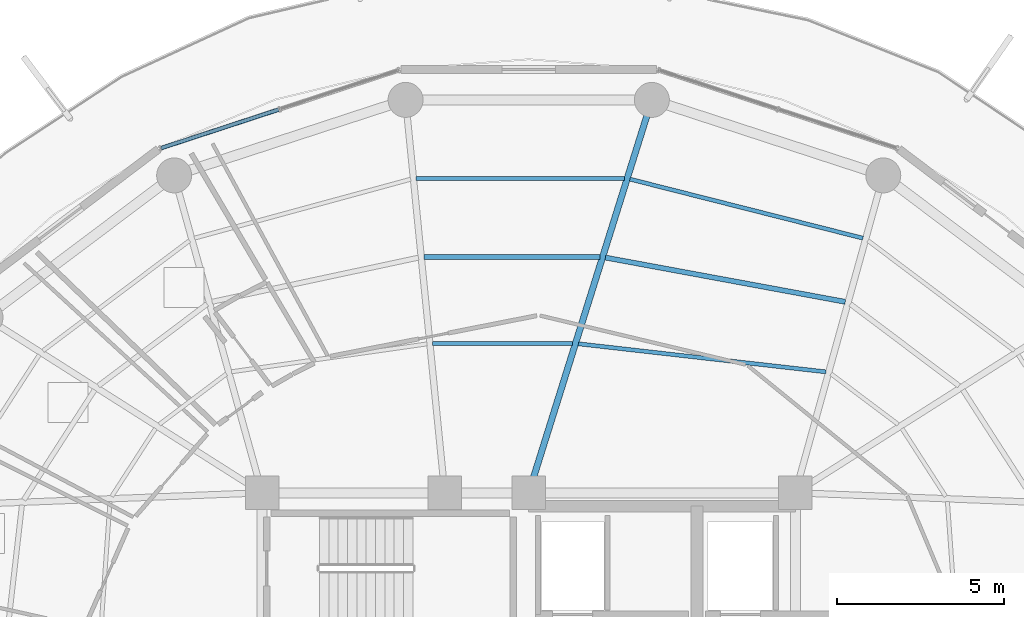
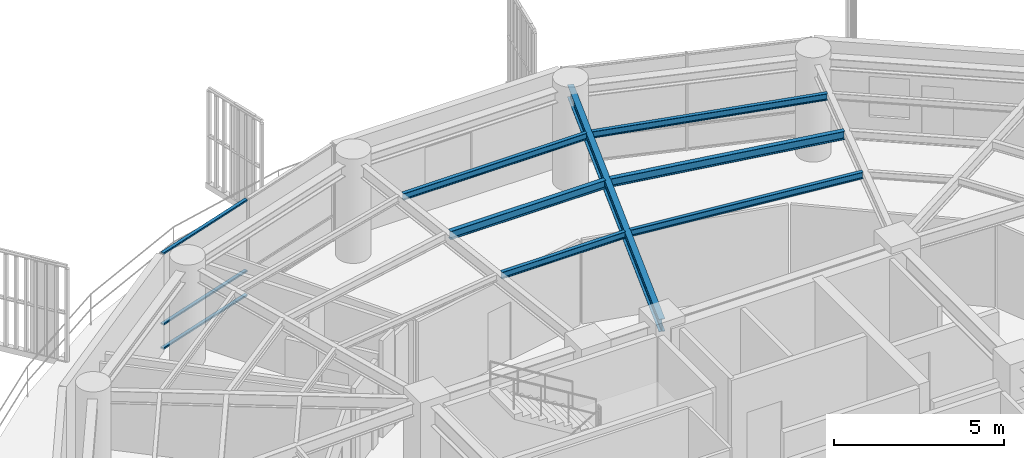
# One storey, part 18 of 30: 7 beams, 3 members, 1 element without a shape of its own.
"""IFC4 building model written with IfcOpenShell, lengths in metres."""

from ifc_helpers import new_model, si_unit, direction, frame, origin, origin_2d, place, context, subcontext, project, spatial, hollow_rectangle, i_section, extrude, material, layer, layer_set, material_profile, profile_set, type_object, element, aggregate, save


model = new_model("IFC4")

# Units and contexts
model_context = context("Model", 3, precision=1e-05, world=origin(), true_north=direction((0.0, 1.0)))
body_context = subcontext(model_context, "Body", "Model", "MODEL_VIEW")
ifc_project = project(units=[si_unit("LENGTHUNIT", "METRE"), si_unit("AREAUNIT", "SQUARE_METRE"), si_unit("VOLUMEUNIT", "CUBIC_METRE"), si_unit("PLANEANGLEUNIT", "RADIAN"), si_unit("MASSUNIT", "GRAM", prefix="KILO")], contexts=[model_context])

# Site, building, storey
site_placement = place(None, origin())
site = spatial("IfcSite", under=ifc_project, at=site_placement, CompositionType="ELEMENT")
building_placement = place(site_placement, origin())
building = spatial("IfcBuilding", under=site, at=building_placement, Name="Kelanora Arch Commons", CompositionType="ELEMENT")
storey_placement = place(building_placement, frame((0.0, 0.0, 234.449951171875)))
storey = spatial("IfcBuildingStorey", under=building, at=storey_placement, Name="L60", CompositionType="ELEMENT", Elevation=234.449951171875)

# Beams
ifc_material_1 = material(Name="Steel S355", Category="steel")
ifc_material_profile_1 = material_profile(ifc_material_1, i_section(OverallWidth=0.14990234375, OverallDepth=0.300048828125, WebThickness=0.007080078125, FlangeThickness=0.0107421875, FilletRadius=0.014892578125, at=origin_2d()), Name="IPE300")
ifc_profile_set_1 = profile_set([ifc_material_profile_1], Name="Steel S355")
beam_type_1 = type_object("IfcBeamType", Name="BM-JST-01", PredefinedType="JOIST", material=ifc_profile_set_1)
beam_1_placement = place(storey_placement, frame((83.50048828125, 70.729736328125, 3.340087890625), z_axis=(-0.983389964671, 0.181505309519, 0.0), x_axis=(-0.181505309519, -0.983389964671, 0.0)))
element("IfcBeam", 1, at=beam_1_placement, inside=storey, type_object=beam_type_1, Name="Secondary Chord Joist BJB-06 L60", PredefinedType="JOIST", context=body_context, shape_type="SweptSolid", body=[
    extrude(i_section(OverallWidth=0.14990234375, OverallDepth=0.300048828125, WebThickness=0.007080078125, FlangeThickness=0.0107421875, FilletRadius=0.014892578125, at=origin_2d()), origin(), (0.0, 0.0, 1.0), 7.3212890625),
])
beam_2_placement = place(storey_placement, frame((76.132080078125, 72.07421875, 3.340087890625), z_axis=(-1.0, 0.0, 0.0), x_axis=(0.0, -1.0, 0.0)))
element("IfcBeam", 2, at=beam_2_placement, inside=storey, type_object=beam_type_1, Name="Secondary Chord Joist BJB-08 L60", PredefinedType="JOIST", context=body_context, shape_type="SweptSolid", body=[
    extrude(i_section(OverallWidth=0.14990234375, OverallDepth=0.300048828125, WebThickness=0.007080078125, FlangeThickness=0.0107421875, FilletRadius=0.014892578125, at=origin_2d()), origin(), (0.0, 0.0, 1.0), 5.272216796875),
])
ifc_material_profile_2 = material_profile(ifc_material_1, i_section(OverallWidth=0.1201171875, OverallDepth=0.239990234375, WebThickness=0.006103515625, FlangeThickness=0.009765625, FilletRadius=0.014892578125, at=origin_2d()), Name="IPE240")
ifc_profile_set_2 = profile_set([ifc_material_profile_2], Name="Steel S355")
beam_type_2 = type_object("IfcBeamType", Name="BM-JST-02", PredefinedType="JOIST", material=ifc_profile_set_2)
beam_3_placement = place(storey_placement, frame((82.918701171875, 68.628662109375, 3.3701171875), z_axis=(-0.993639672263, 0.11260640171, 0.0), x_axis=(-0.11260640171, -0.993639672263, 0.0)))
element("IfcBeam", 3, at=beam_3_placement, inside=storey, type_object=beam_type_2, Name="Secondary Chord Joist BJA-06 L60", PredefinedType="JOIST", context=body_context, shape_type="SweptSolid", body=[
    extrude(i_section(OverallWidth=0.1201171875, OverallDepth=0.239990234375, WebThickness=0.006103515625, FlangeThickness=0.009765625, FilletRadius=0.014892578125, at=origin_2d()), origin(), (0.0, 0.0, 1.0), 7.477783203125),
])
beam_4_placement = place(storey_placement, frame((84.029541015625, 72.639892578125, 3.3701171875), z_axis=(-0.969370989998, 0.245601066263, 0.0), x_axis=(-0.245601066263, -0.969370989998, 0.0)))
element("IfcBeam", 4, at=beam_4_placement, inside=storey, type_object=beam_type_2, Name="Secondary Chord Joist BJC-06 L60", PredefinedType="JOIST", context=body_context, shape_type="SweptSolid", body=[
    extrude(i_section(OverallWidth=0.1201171875, OverallDepth=0.239990234375, WebThickness=0.006103515625, FlangeThickness=0.009765625, FilletRadius=0.014892578125, at=origin_2d()), origin(), (0.0, 0.0, 1.0), 7.2119140625),
])
beam_5_placement = place(storey_placement, frame((75.319091796875, 69.480224609375, 3.3701171875), z_axis=(-1.0, 0.0, 0.0), x_axis=(0.0, -1.0, 0.0)))
element("IfcBeam", 5, at=beam_5_placement, inside=storey, type_object=beam_type_2, Name="Secondary Chord Joist BJA-08 L60", PredefinedType="JOIST", context=body_context, shape_type="SweptSolid", body=[
    extrude(i_section(OverallWidth=0.1201171875, OverallDepth=0.239990234375, WebThickness=0.006103515625, FlangeThickness=0.009765625, FilletRadius=0.014892578125, at=origin_2d()), origin(), (0.0, 0.0, 1.0), 4.20068359375),
])
beam_6_placement = place(storey_placement, frame((76.87109375, 74.43212890625, 3.3701171875), z_axis=(-1.0, 0.0, 0.0), x_axis=(0.0, -1.0, 0.0)))
element("IfcBeam", 6, at=beam_6_placement, inside=storey, type_object=beam_type_2, Name="Secondary Chord Joist BJC-08 L60", PredefinedType="JOIST", context=body_context, shape_type="SweptSolid", body=[
    extrude(i_section(OverallWidth=0.1201171875, OverallDepth=0.239990234375, WebThickness=0.006103515625, FlangeThickness=0.009765625, FilletRadius=0.014892578125, at=origin_2d()), origin(), (0.0, 0.0, 1.0), 6.246337890625),
])
ifc_material_profile_3 = material_profile(ifc_material_1, i_section(OverallWidth=0.18994140625, OverallDepth=0.449951171875, WebThickness=0.009521484375, FlangeThickness=0.0146484375, FilletRadius=0.02099609375, at=origin_2d()), Name="IPE450")
ifc_profile_set_3 = profile_set([ifc_material_profile_3], Name="Steel S355")
beam_type_3 = type_object("IfcBeamType", Name="BM-RAD-Z4", PredefinedType="BEAM", material=ifc_profile_set_3)
beam_7_placement = place(storey_placement, frame((74.0, 65.0, 3.26513671875), z_axis=(0.299080457492, 0.954227897279, 0.0), x_axis=(-0.954227897279, 0.299080457492, 0.0)))
element("IfcBeam", 7, at=beam_7_placement, inside=storey, type_object=beam_type_3, Name="Radial Floor Girder BR-08 L60", PredefinedType="BEAM", context=body_context, shape_type="SweptSolid", body=[
    extrude(i_section(OverallWidth=0.18994140625, OverallDepth=0.449951171875, WebThickness=0.009521484375, FlangeThickness=0.0146484375, FilletRadius=0.02099609375, at=origin_2d()), origin(), (0.0, 0.0, 1.0), 12.35546875),
])

# Curtain wall, members
ifc_material_2 = material(Name="Terracotta ceramic-fritted low-E glass and aluminium", Category="masonry")
ifc_layer = layer(ifc_material_2, 0.175048828125)
ifc_layer_set = layer_set([ifc_layer], Name="Terracotta ceramic-fritted low-E glass and aluminium")
curtain_wall_type = type_object("IfcCurtainWallType", Name="CW-SYS-02", PredefinedType="NOTDEFINED", material=ifc_layer_set)
curtain_wall_placement = place(storey_placement, origin())
curtain_wall = element("IfcCurtainWall", 8, at=curtain_wall_placement, inside=storey, type_object=curtain_wall_type, Name="Unitised Curtain Wall L60-B05", PredefinedType="NOTDEFINED")
ifc_material_3 = material(Name="Powder-coated aluminium terracotta", Category="masonry")
ifc_material_profile_4 = material_profile(ifc_material_3, hollow_rectangle(XDim=0.1201171875, YDim=0.06005859375, WallThickness=0.0048828125, InnerFilletRadius=0.0048828125, OuterFilletRadius=0.010009765625, at=origin_2d()), Name="CWT120x60")
ifc_profile_set_4 = profile_set([ifc_material_profile_4], Name="Powder-coated aluminium terracotta")
member_type = type_object("IfcMemberType", Name="CWT-STD", PredefinedType="USERDEFINED", material=ifc_profile_set_4)
member_1_placement = place(storey_placement, frame((66.493896484375, 76.4990234375, 0.030029296875), z_axis=(-0.950226025222, -0.311561392011, 0.0), x_axis=(0.311561392011, -0.950226025222, 0.0)))
member_1 = element("IfcMember", 9, at=member_1_placement, type_object=member_type, Name="CW-02 transom 2.1", ObjectType="TRANSOM", PredefinedType="USERDEFINED", context=body_context, shape_type="SweptSolid", body=[
    extrude(hollow_rectangle(XDim=0.1201171875, YDim=0.06005859375, WallThickness=0.0048828125, InnerFilletRadius=0.0048828125, OuterFilletRadius=0.010009765625, at=origin_2d()), origin(), (0.0, 0.0, 1.0), 3.707275390625),
])
member_2_placement = place(storey_placement, frame((66.493896484375, 76.4990234375, 0.900146484375), z_axis=(-0.950226025222, -0.311561392011, 0.0), x_axis=(0.311561392011, -0.950226025222, 0.0)))
member_2 = element("IfcMember", 10, at=member_2_placement, type_object=member_type, Name="CW-02 transom 2.2", ObjectType="TRANSOM", PredefinedType="USERDEFINED", context=body_context, shape_type="SweptSolid", body=[
    extrude(hollow_rectangle(XDim=0.1201171875, YDim=0.06005859375, WallThickness=0.0048828125, InnerFilletRadius=0.0048828125, OuterFilletRadius=0.010009765625, at=origin_2d()), origin(), (0.0, 0.0, 1.0), 3.707275390625),
])
member_3_placement = place(storey_placement, frame((66.493896484375, 76.4990234375, 3.445068359375), z_axis=(-0.950226025222, -0.311561392011, 0.0), x_axis=(0.311561392011, -0.950226025222, 0.0)))
member_3 = element("IfcMember", 11, at=member_3_placement, type_object=member_type, Name="CW-02 transom 2.3", ObjectType="TRANSOM", PredefinedType="USERDEFINED", context=body_context, shape_type="SweptSolid", body=[
    extrude(hollow_rectangle(XDim=0.1201171875, YDim=0.06005859375, WallThickness=0.0048828125, InnerFilletRadius=0.0048828125, OuterFilletRadius=0.010009765625, at=origin_2d()), origin(), (0.0, 0.0, 1.0), 3.707275390625),
])
aggregate(curtain_wall, [member_1, member_2, member_3])

save(model, "model.ifc")
